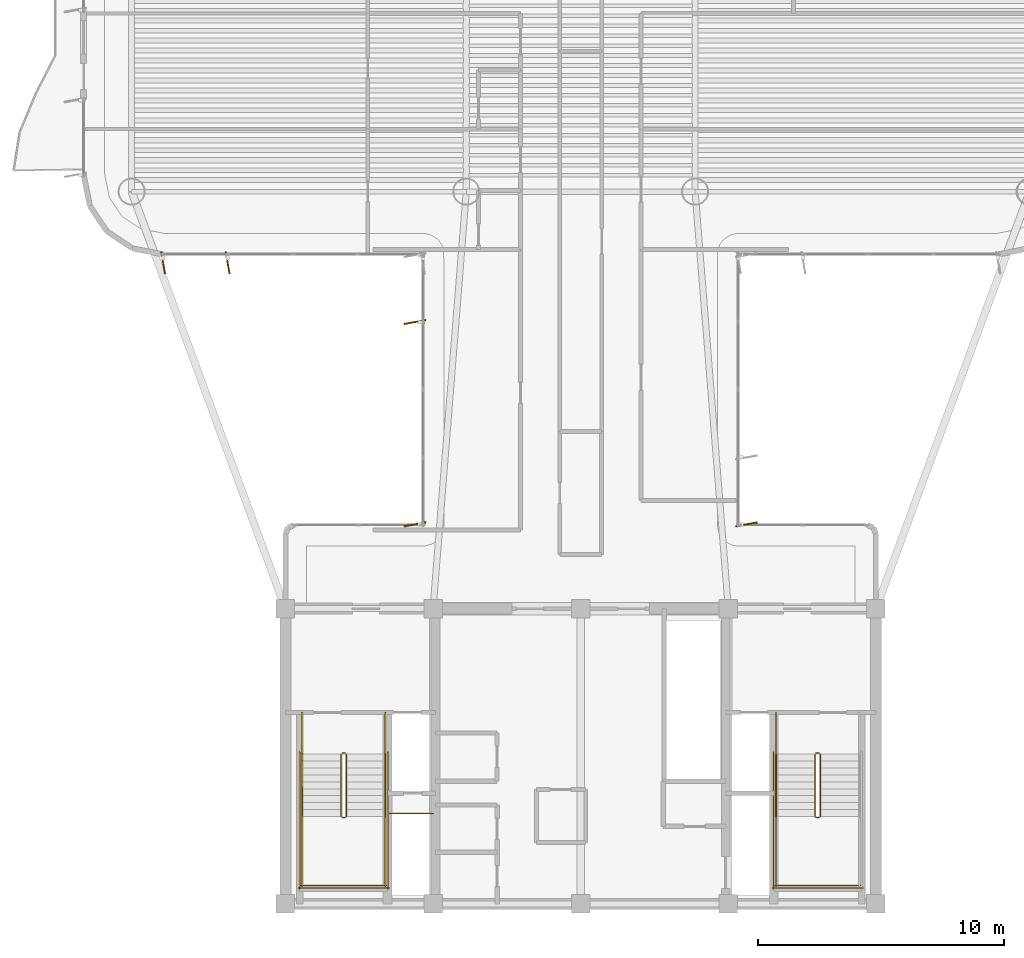
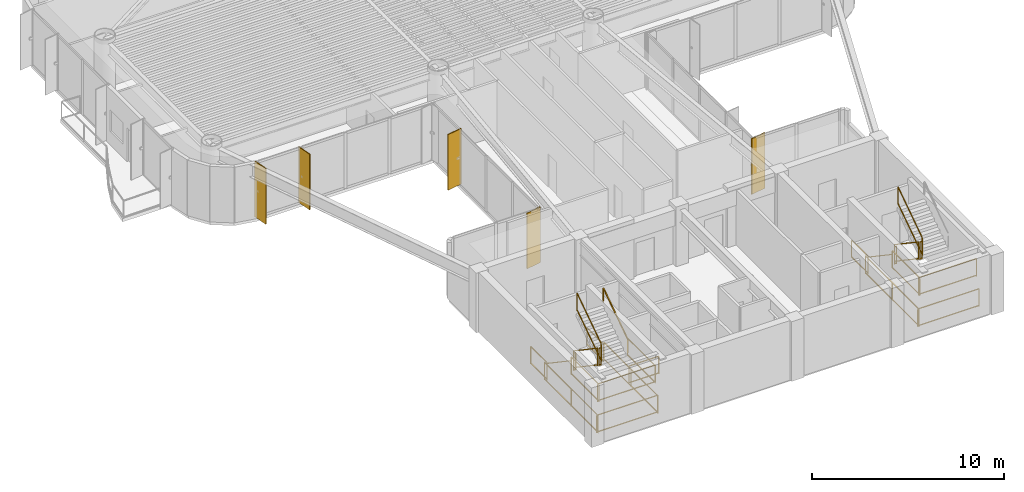
# One storey, part 13 of 14: 25 railings, 5 shading devices.
"""IFC4 building model written with IfcOpenShell, lengths in metres."""

from ifc_helpers import new_model, si_unit, direction, frame, origin, origin_2d, place, context, subcontext, project, spatial, rectangle, extrude, source, transform, mapped, material, layer, layer_set, material_profile, profile_set, type_object, element, save


model = new_model("IFC4")

# Units and contexts
model_context = context("Model", 3, precision=1e-05, world=origin(), true_north=direction((0.0, 1.0)))
body_context = subcontext(model_context, "Body", "Model", "MODEL_VIEW")
ifc_project = project(units=[si_unit("LENGTHUNIT", "METRE"), si_unit("AREAUNIT", "SQUARE_METRE"), si_unit("VOLUMEUNIT", "CUBIC_METRE"), si_unit("PLANEANGLEUNIT", "RADIAN"), si_unit("MASSUNIT", "GRAM", prefix="KILO")], contexts=[model_context])

# Site, building, storey
site_placement = place(None, origin())
site = spatial("IfcSite", under=ifc_project, at=site_placement, CompositionType="ELEMENT")
building_placement = place(site_placement, origin())
building = spatial("IfcBuilding", under=site, at=building_placement, Name="Brelvock Crest Care Tower", CompositionType="ELEMENT")
storey_placement = place(building_placement, frame((0.0, 0.0, 194.219970703125)))
storey = spatial("IfcBuildingStorey", under=building, at=storey_placement, Name="L49", CompositionType="ELEMENT", Elevation=194.219970703125)

# Railings
ifc_material_1 = material(Name="Steel Grade 350", Category="steel")
ifc_layer_1 = layer(ifc_material_1, 0.050048828125, Name="RL-STG1")
ifc_layer_set_1 = layer_set([ifc_layer_1], Name="Steel Grade 350")
railing_type_1 = type_object("IfcRailingType", Name="RL-STG1", PredefinedType="GUARDRAIL", material=ifc_layer_set_1)
railing_1_placement = place(storey_placement, frame((26.260009765625, 12.080078125, 0.18896484375)))
element("IfcRailing", 1, at=railing_1_placement, inside=storey, type_object=railing_type_1, Name="L49 ST-1 stair guard 1", PredefinedType="GUARDRAIL", context=body_context, shape_type="SweptSolid", body=[
    extrude(rectangle(XDim=0.048095703125, YDim=0.048095703125, at=origin_2d()), frame((0.0, -0.001708984375, 1.116943359375), z_axis=(0.0, -0.82882447046, 0.559508710537), x_axis=(1.0, 0.0, 0.0)), (0.0, 0.0, 1.0), 3.036376953125),
    extrude(rectangle(XDim=0.048095703125, YDim=0.048095703125, at=origin_2d()), frame((0.0, -0.001708984375, 0.05615234375), z_axis=(0.0, -0.82882447046, 0.559508710537), x_axis=(1.0, 0.0, 0.0)), (0.0, 0.0, 1.0), 3.036376953125),
    extrude(rectangle(XDim=0.0419921875, YDim=0.0419921875, at=origin_2d()), origin(), (0.0, 0.0, 1.0), 1.08984375),
    extrude(rectangle(XDim=0.0419921875, YDim=0.0419921875, at=origin_2d()), frame((0.0, -2.52001953125, 1.701171875)), (0.0, 0.0, 1.0), 1.08984375),
])
railing_2_placement = place(storey_placement, frame((26.31005859375, 9.510009765625, 1.89013671875)))
element("IfcRailing", 2, at=railing_2_placement, inside=storey, type_object=railing_type_1, Name="L49 ST-1 stair guard 2", PredefinedType="GUARDRAIL", context=body_context, shape_type="SweptSolid", body=[
    extrude(rectangle(XDim=0.048095703125, YDim=0.048095703125, at=origin_2d()), frame((0.001953125, 0.0, 1.11572265625), z_axis=(1.0, 0.0, 0.0), x_axis=(0.0, 1.0, 0.0)), (0.0, 0.0, 1.0), 0.115966796875),
    extrude(rectangle(XDim=0.048095703125, YDim=0.048095703125, at=origin_2d()), frame((0.001953125, 0.0, 0.054931640625), z_axis=(1.0, 0.0, 0.0), x_axis=(0.0, 1.0, 0.0)), (0.0, 0.0, 1.0), 0.115966796875),
    extrude(rectangle(XDim=0.0419921875, YDim=0.0419921875, at=origin_2d()), origin(), (0.0, 0.0, 1.0), 1.08984375),
    extrude(rectangle(XDim=0.0419921875, YDim=0.0419921875, at=origin_2d()), frame((0.119873046875, 0.0, 0.0)), (0.0, 0.0, 1.0), 1.08984375),
])
for number, where, name in (
    (3, (24.679931640625, 9.56005859375, 1.89013671875), "L49 ST-1 stair guard 3"),
    (4, (28.06005859375, 9.56005859375, 1.89013671875), "L49 ST-1 stair guard 4"),
):
    element("IfcRailing", number, at=place(storey_placement, frame(where)), inside=storey, type_object=railing_type_1, Name=name, PredefinedType="GUARDRAIL", context=body_context, shape_type="SweptSolid", body=[
        extrude(rectangle(XDim=0.048095703125, YDim=0.048095703125, at=origin_2d()), frame((0.0, -0.001953125, 1.11572265625), z_axis=(0.0, -1.0, 0.0), x_axis=(1.0, 0.0, 0.0)), (0.0, 0.0, 1.0), 2.856201171875),
        extrude(rectangle(XDim=0.048095703125, YDim=0.048095703125, at=origin_2d()), frame((0.0, -0.001953125, 0.054931640625), z_axis=(0.0, -1.0, 0.0), x_axis=(1.0, 0.0, 0.0)), (0.0, 0.0, 1.0), 2.856201171875),
        extrude(rectangle(XDim=0.0419921875, YDim=0.0419921875, at=origin_2d()), origin(), (0.0, 0.0, 1.0), 1.08984375),
        extrude(rectangle(XDim=0.0419921875, YDim=0.0419921875, at=origin_2d()), frame((0.0, -2.860107421875, 0.0)), (0.0, 0.0, 1.0), 1.08984375),
    ])
railing_3_placement = place(storey_placement, frame((24.6298828125, 6.75, 1.89013671875)))
element("IfcRailing", 5, at=railing_3_placement, inside=storey, type_object=railing_type_1, Name="L49 ST-1 stair guard 5", PredefinedType="GUARDRAIL", context=body_context, shape_type="SweptSolid", body=[
    extrude(rectangle(XDim=0.048095703125, YDim=0.048095703125, at=origin_2d()), frame((0.001953125, 0.0, 1.11572265625), z_axis=(1.0, 0.0, 0.0), x_axis=(0.0, 1.0, 0.0)), (0.0, 0.0, 1.0), 3.476318359375),
    extrude(rectangle(XDim=0.048095703125, YDim=0.048095703125, at=origin_2d()), frame((0.001953125, 0.0, 0.054931640625), z_axis=(1.0, 0.0, 0.0), x_axis=(0.0, 1.0, 0.0)), (0.0, 0.0, 1.0), 3.476318359375),
    extrude(rectangle(XDim=0.0419921875, YDim=0.0419921875, at=origin_2d()), origin(), (0.0, 0.0, 1.0), 1.08984375),
    extrude(rectangle(XDim=0.0419921875, YDim=0.0419921875, at=origin_2d()), frame((3.480224609375, 0.0, 0.0)), (0.0, 0.0, 1.0), 1.08984375),
])
railing_4_placement = place(storey_placement, frame((26.47998046875, 9.56005859375, 2.0791015625)))
element("IfcRailing", 6, at=railing_4_placement, inside=storey, type_object=railing_type_1, Name="L49 ST-1 stair guard 6", PredefinedType="GUARDRAIL", context=body_context, shape_type="SweptSolid", body=[
    extrude(rectangle(XDim=0.048095703125, YDim=0.048095703125, at=origin_2d()), frame((0.0, 0.001708984375, 1.116943359375), z_axis=(0.0, 0.828861706735, 0.559453546873), x_axis=(-1.0, 0.0, 0.0)), (0.0, 0.0, 1.0), 3.036376953125),
    extrude(rectangle(XDim=0.048095703125, YDim=0.048095703125, at=origin_2d()), frame((0.0, 0.001708984375, 0.05615234375), z_axis=(0.0, 0.828861706735, 0.559453546873), x_axis=(-1.0, 0.0, 0.0)), (0.0, 0.0, 1.0), 3.036376953125),
    extrude(rectangle(XDim=0.0419921875, YDim=0.0419921875, at=origin_2d()), origin(), (0.0, 0.0, 1.0), 1.08984375),
    extrude(rectangle(XDim=0.0419921875, YDim=0.0419921875, at=origin_2d()), frame((0.0, 2.52001953125, 1.700927734375)), (0.0, 0.0, 1.0), 1.08984375),
])
railing_5_placement = place(storey_placement, frame((26.31005859375, 12.1298828125, 0.0)))
element("IfcRailing", 7, at=railing_5_placement, inside=storey, type_object=railing_type_1, Name="L49 ST-1 stair guard 7", PredefinedType="GUARDRAIL", context=body_context, shape_type="SweptSolid", body=[
    extrude(rectangle(XDim=0.048095703125, YDim=0.048095703125, at=origin_2d()), frame((0.001953125, 0.0, 1.11572265625), z_axis=(1.0, 0.0, 0.0), x_axis=(0.0, 1.0, 0.0)), (0.0, 0.0, 1.0), 0.115966796875),
    extrude(rectangle(XDim=0.048095703125, YDim=0.048095703125, at=origin_2d()), frame((0.001953125, 0.0, 0.054931640625), z_axis=(1.0, 0.0, 0.0), x_axis=(0.0, 1.0, 0.0)), (0.0, 0.0, 1.0), 0.115966796875),
    extrude(rectangle(XDim=0.0419921875, YDim=0.0419921875, at=origin_2d()), origin(), (0.0, 0.0, 1.0), 1.08984375),
    extrude(rectangle(XDim=0.0419921875, YDim=0.0419921875, at=origin_2d()), frame((0.119873046875, 0.0, 0.0)), (0.0, 0.0, 1.0), 1.08984375),
])
for number, where, name in (
    (8, (24.679931640625, 13.780029296875, 0.0), "L49 ST-1 stair guard 8"),
    (9, (28.06005859375, 13.780029296875, 0.0), "L49 ST-1 stair guard 9"),
):
    element("IfcRailing", number, at=place(storey_placement, frame(where)), inside=storey, type_object=railing_type_1, Name=name, PredefinedType="GUARDRAIL", context=body_context, shape_type="SweptSolid", body=[
        extrude(rectangle(XDim=0.048095703125, YDim=0.048095703125, at=origin_2d()), frame((0.0, -0.001953125, 1.11572265625), z_axis=(0.0, -1.0, 0.0), x_axis=(1.0, 0.0, 0.0)), (0.0, 0.0, 1.0), 1.696044921875),
        extrude(rectangle(XDim=0.048095703125, YDim=0.048095703125, at=origin_2d()), frame((0.0, -0.001953125, 0.054931640625), z_axis=(0.0, -1.0, 0.0), x_axis=(1.0, 0.0, 0.0)), (0.0, 0.0, 1.0), 1.696044921875),
        extrude(rectangle(XDim=0.0419921875, YDim=0.0419921875, at=origin_2d()), origin(), (0.0, 0.0, 1.0), 1.08984375),
        extrude(rectangle(XDim=0.0419921875, YDim=0.0419921875, at=origin_2d()), frame((0.0, -1.699951171875, 0.0)), (0.0, 0.0, 1.0), 1.08984375),
    ])
for number, where, name in (
    (10, (24.580078125, 12.179931640625, 0.0), "L49 ST-1 stair guard 10"),
    (11, (28.159912109375, 12.179931640625, 0.0), "L49 ST-1 stair guard 11"),
):
    element("IfcRailing", number, at=place(storey_placement, frame(where)), inside=storey, type_object=railing_type_1, Name=name, PredefinedType="GUARDRAIL", context=body_context, shape_type="SweptSolid", body=[
        extrude(rectangle(XDim=0.048095703125, YDim=0.048095703125, at=origin_2d()), frame((0.0, -0.001953125, 1.11572265625), z_axis=(0.0, -1.0, 0.0), x_axis=(1.0, 0.0, 0.0)), (0.0, 0.0, 1.0), 5.575927734375),
        extrude(rectangle(XDim=0.048095703125, YDim=0.048095703125, at=origin_2d()), frame((0.0, -0.001953125, 0.054931640625), z_axis=(0.0, -1.0, 0.0), x_axis=(1.0, 0.0, 0.0)), (0.0, 0.0, 1.0), 5.575927734375),
        extrude(rectangle(XDim=0.0419921875, YDim=0.0419921875, at=origin_2d()), origin(), (0.0, 0.0, 1.0), 1.08984375),
        extrude(rectangle(XDim=0.0419921875, YDim=0.0419921875, at=origin_2d()), frame((0.0, -2.7900390625, 0.0)), (0.0, 0.0, 1.0), 1.08984375),
        extrude(rectangle(XDim=0.0419921875, YDim=0.0419921875, at=origin_2d()), frame((0.0, -5.579833984375, 0.0)), (0.0, 0.0, 1.0), 1.08984375),
    ])
railing_6_placement = place(storey_placement, frame((24.530029296875, 6.64990234375, 0.0)))
element("IfcRailing", 12, at=railing_6_placement, inside=storey, type_object=railing_type_1, Name="L49 ST-1 stair guard 12", PredefinedType="GUARDRAIL", context=body_context, shape_type="SweptSolid", body=[
    extrude(rectangle(XDim=0.048095703125, YDim=0.048095703125, at=origin_2d()), frame((0.001953125, 0.0, 1.11572265625), z_axis=(1.0, 0.0, 0.0), x_axis=(0.0, 1.0, 0.0)), (0.0, 0.0, 1.0), 3.676025390625),
    extrude(rectangle(XDim=0.048095703125, YDim=0.048095703125, at=origin_2d()), frame((0.001953125, 0.0, 0.054931640625), z_axis=(1.0, 0.0, 0.0), x_axis=(0.0, 1.0, 0.0)), (0.0, 0.0, 1.0), 3.676025390625),
    extrude(rectangle(XDim=0.0419921875, YDim=0.0419921875, at=origin_2d()), origin(), (0.0, 0.0, 1.0), 1.08984375),
    extrude(rectangle(XDim=0.0419921875, YDim=0.0419921875, at=origin_2d()), frame((3.679931640625, 0.0, 0.0)), (0.0, 0.0, 1.0), 1.08984375),
])
railing_7_placement = place(storey_placement, frame((45.52001953125, 12.080078125, 0.18896484375)))
element("IfcRailing", 13, at=railing_7_placement, inside=storey, type_object=railing_type_1, Name="L49 ST-2 stair guard 1", PredefinedType="GUARDRAIL", context=body_context, shape_type="SweptSolid", body=[
    extrude(rectangle(XDim=0.048095703125, YDim=0.048095703125, at=origin_2d()), frame((0.0, -0.001708984375, 1.116943359375), z_axis=(0.0, -0.82882447046, 0.559508710537), x_axis=(1.0, 0.0, 0.0)), (0.0, 0.0, 1.0), 3.036376953125),
    extrude(rectangle(XDim=0.048095703125, YDim=0.048095703125, at=origin_2d()), frame((0.0, -0.001708984375, 0.05615234375), z_axis=(0.0, -0.82882447046, 0.559508710537), x_axis=(1.0, 0.0, 0.0)), (0.0, 0.0, 1.0), 3.036376953125),
    extrude(rectangle(XDim=0.0419921875, YDim=0.0419921875, at=origin_2d()), origin(), (0.0, 0.0, 1.0), 1.08984375),
    extrude(rectangle(XDim=0.0419921875, YDim=0.0419921875, at=origin_2d()), frame((0.0, -2.52001953125, 1.701171875)), (0.0, 0.0, 1.0), 1.08984375),
])
railing_8_placement = place(storey_placement, frame((45.570068359375, 9.510009765625, 1.89013671875)))
element("IfcRailing", 14, at=railing_8_placement, inside=storey, type_object=railing_type_1, Name="L49 ST-2 stair guard 2", PredefinedType="GUARDRAIL", context=body_context, shape_type="SweptSolid", body=[
    extrude(rectangle(XDim=0.048095703125, YDim=0.048095703125, at=origin_2d()), frame((0.001953125, 0.0, 1.11572265625), z_axis=(1.0, 0.0, 0.0), x_axis=(0.0, 1.0, 0.0)), (0.0, 0.0, 1.0), 0.115966796875),
    extrude(rectangle(XDim=0.048095703125, YDim=0.048095703125, at=origin_2d()), frame((0.001953125, 0.0, 0.054931640625), z_axis=(1.0, 0.0, 0.0), x_axis=(0.0, 1.0, 0.0)), (0.0, 0.0, 1.0), 0.115966796875),
    extrude(rectangle(XDim=0.0419921875, YDim=0.0419921875, at=origin_2d()), origin(), (0.0, 0.0, 1.0), 1.08984375),
    extrude(rectangle(XDim=0.0419921875, YDim=0.0419921875, at=origin_2d()), frame((0.119873046875, 0.0, 0.0)), (0.0, 0.0, 1.0), 1.08984375),
])
railing_9_placement = place(storey_placement, frame((43.93994140625, 9.56005859375, 1.89013671875)))
element("IfcRailing", 15, at=railing_9_placement, inside=storey, type_object=railing_type_1, Name="L49 ST-2 stair guard 3", PredefinedType="GUARDRAIL", context=body_context, shape_type="SweptSolid", body=[
    extrude(rectangle(XDim=0.048095703125, YDim=0.048095703125, at=origin_2d()), frame((0.0, -0.001953125, 1.11572265625), z_axis=(0.0, -1.0, 0.0), x_axis=(1.0, 0.0, 0.0)), (0.0, 0.0, 1.0), 2.856201171875),
    extrude(rectangle(XDim=0.048095703125, YDim=0.048095703125, at=origin_2d()), frame((0.0, -0.001953125, 0.054931640625), z_axis=(0.0, -1.0, 0.0), x_axis=(1.0, 0.0, 0.0)), (0.0, 0.0, 1.0), 2.856201171875),
    extrude(rectangle(XDim=0.0419921875, YDim=0.0419921875, at=origin_2d()), origin(), (0.0, 0.0, 1.0), 1.08984375),
    extrude(rectangle(XDim=0.0419921875, YDim=0.0419921875, at=origin_2d()), frame((0.0, -2.860107421875, 0.0)), (0.0, 0.0, 1.0), 1.08984375),
])
railing_10_placement = place(storey_placement, frame((43.889892578125, 6.75, 1.89013671875)))
element("IfcRailing", 16, at=railing_10_placement, inside=storey, type_object=railing_type_1, Name="L49 ST-2 stair guard 5", PredefinedType="GUARDRAIL", context=body_context, shape_type="SweptSolid", body=[
    extrude(rectangle(XDim=0.048095703125, YDim=0.048095703125, at=origin_2d()), frame((0.001953125, 0.0, 1.11572265625), z_axis=(1.0, 0.0, 0.0), x_axis=(0.0, 1.0, 0.0)), (0.0, 0.0, 1.0), 3.476318359375),
    extrude(rectangle(XDim=0.048095703125, YDim=0.048095703125, at=origin_2d()), frame((0.001953125, 0.0, 0.054931640625), z_axis=(1.0, 0.0, 0.0), x_axis=(0.0, 1.0, 0.0)), (0.0, 0.0, 1.0), 3.476318359375),
    extrude(rectangle(XDim=0.0419921875, YDim=0.0419921875, at=origin_2d()), origin(), (0.0, 0.0, 1.0), 1.08984375),
    extrude(rectangle(XDim=0.0419921875, YDim=0.0419921875, at=origin_2d()), frame((3.480224609375, 0.0, 0.0)), (0.0, 0.0, 1.0), 1.08984375),
])
railing_11_placement = place(storey_placement, frame((45.739990234375, 9.56005859375, 2.0791015625)))
element("IfcRailing", 17, at=railing_11_placement, inside=storey, type_object=railing_type_1, Name="L49 ST-2 stair guard 6", PredefinedType="GUARDRAIL", context=body_context, shape_type="SweptSolid", body=[
    extrude(rectangle(XDim=0.048095703125, YDim=0.048095703125, at=origin_2d()), frame((0.0, 0.001708984375, 1.116943359375), z_axis=(0.0, 0.828861706735, 0.559453546873), x_axis=(-1.0, 0.0, 0.0)), (0.0, 0.0, 1.0), 3.036376953125),
    extrude(rectangle(XDim=0.048095703125, YDim=0.048095703125, at=origin_2d()), frame((0.0, 0.001708984375, 0.05615234375), z_axis=(0.0, 0.828861706735, 0.559453546873), x_axis=(-1.0, 0.0, 0.0)), (0.0, 0.0, 1.0), 3.036376953125),
    extrude(rectangle(XDim=0.0419921875, YDim=0.0419921875, at=origin_2d()), origin(), (0.0, 0.0, 1.0), 1.08984375),
    extrude(rectangle(XDim=0.0419921875, YDim=0.0419921875, at=origin_2d()), frame((0.0, 2.52001953125, 1.700927734375)), (0.0, 0.0, 1.0), 1.08984375),
])
railing_12_placement = place(storey_placement, frame((45.570068359375, 12.1298828125, 0.0)))
element("IfcRailing", 18, at=railing_12_placement, inside=storey, type_object=railing_type_1, Name="L49 ST-2 stair guard 7", PredefinedType="GUARDRAIL", context=body_context, shape_type="SweptSolid", body=[
    extrude(rectangle(XDim=0.048095703125, YDim=0.048095703125, at=origin_2d()), frame((0.001953125, 0.0, 1.11572265625), z_axis=(1.0, 0.0, 0.0), x_axis=(0.0, 1.0, 0.0)), (0.0, 0.0, 1.0), 0.115966796875),
    extrude(rectangle(XDim=0.048095703125, YDim=0.048095703125, at=origin_2d()), frame((0.001953125, 0.0, 0.054931640625), z_axis=(1.0, 0.0, 0.0), x_axis=(0.0, 1.0, 0.0)), (0.0, 0.0, 1.0), 0.115966796875),
    extrude(rectangle(XDim=0.0419921875, YDim=0.0419921875, at=origin_2d()), origin(), (0.0, 0.0, 1.0), 1.08984375),
    extrude(rectangle(XDim=0.0419921875, YDim=0.0419921875, at=origin_2d()), frame((0.119873046875, 0.0, 0.0)), (0.0, 0.0, 1.0), 1.08984375),
])
railing_13_placement = place(storey_placement, frame((43.93994140625, 13.780029296875, 0.0)))
element("IfcRailing", 19, at=railing_13_placement, inside=storey, type_object=railing_type_1, Name="L49 ST-2 stair guard 8", PredefinedType="GUARDRAIL", context=body_context, shape_type="SweptSolid", body=[
    extrude(rectangle(XDim=0.048095703125, YDim=0.048095703125, at=origin_2d()), frame((0.0, -0.001953125, 1.11572265625), z_axis=(0.0, -1.0, 0.0), x_axis=(1.0, 0.0, 0.0)), (0.0, 0.0, 1.0), 1.696044921875),
    extrude(rectangle(XDim=0.048095703125, YDim=0.048095703125, at=origin_2d()), frame((0.0, -0.001953125, 0.054931640625), z_axis=(0.0, -1.0, 0.0), x_axis=(1.0, 0.0, 0.0)), (0.0, 0.0, 1.0), 1.696044921875),
    extrude(rectangle(XDim=0.0419921875, YDim=0.0419921875, at=origin_2d()), origin(), (0.0, 0.0, 1.0), 1.08984375),
    extrude(rectangle(XDim=0.0419921875, YDim=0.0419921875, at=origin_2d()), frame((0.0, -1.699951171875, 0.0)), (0.0, 0.0, 1.0), 1.08984375),
])
railing_14_placement = place(storey_placement, frame((43.840087890625, 12.179931640625, 0.0)))
element("IfcRailing", 20, at=railing_14_placement, inside=storey, type_object=railing_type_1, Name="L49 ST-2 stair guard 10", PredefinedType="GUARDRAIL", context=body_context, shape_type="SweptSolid", body=[
    extrude(rectangle(XDim=0.048095703125, YDim=0.048095703125, at=origin_2d()), frame((0.0, -0.001953125, 1.11572265625), z_axis=(0.0, -1.0, 0.0), x_axis=(1.0, 0.0, 0.0)), (0.0, 0.0, 1.0), 5.575927734375),
    extrude(rectangle(XDim=0.048095703125, YDim=0.048095703125, at=origin_2d()), frame((0.0, -0.001953125, 0.054931640625), z_axis=(0.0, -1.0, 0.0), x_axis=(1.0, 0.0, 0.0)), (0.0, 0.0, 1.0), 5.575927734375),
    extrude(rectangle(XDim=0.0419921875, YDim=0.0419921875, at=origin_2d()), origin(), (0.0, 0.0, 1.0), 1.08984375),
    extrude(rectangle(XDim=0.0419921875, YDim=0.0419921875, at=origin_2d()), frame((0.0, -2.7900390625, 0.0)), (0.0, 0.0, 1.0), 1.08984375),
    extrude(rectangle(XDim=0.0419921875, YDim=0.0419921875, at=origin_2d()), frame((0.0, -5.579833984375, 0.0)), (0.0, 0.0, 1.0), 1.08984375),
])
railing_15_placement = place(storey_placement, frame((43.7900390625, 6.64990234375, 0.0)))
element("IfcRailing", 21, at=railing_15_placement, inside=storey, type_object=railing_type_1, Name="L49 ST-2 stair guard 12", PredefinedType="GUARDRAIL", context=body_context, shape_type="SweptSolid", body=[
    extrude(rectangle(XDim=0.048095703125, YDim=0.048095703125, at=origin_2d()), frame((0.001953125, 0.0, 1.11572265625), z_axis=(1.0, 0.0, 0.0), x_axis=(0.0, 1.0, 0.0)), (0.0, 0.0, 1.0), 3.676025390625),
    extrude(rectangle(XDim=0.048095703125, YDim=0.048095703125, at=origin_2d()), frame((0.001953125, 0.0, 0.054931640625), z_axis=(1.0, 0.0, 0.0), x_axis=(0.0, 1.0, 0.0)), (0.0, 0.0, 1.0), 3.676025390625),
    extrude(rectangle(XDim=0.0419921875, YDim=0.0419921875, at=origin_2d()), origin(), (0.0, 0.0, 1.0), 1.08984375),
    extrude(rectangle(XDim=0.0419921875, YDim=0.0419921875, at=origin_2d()), frame((3.679931640625, 0.0, 0.0)), (0.0, 0.0, 1.0), 1.08984375),
])
railing_16_placement = place(storey_placement, frame((28.219970703125, 9.679931640625, 0.0)))
element("IfcRailing", 22, at=railing_16_placement, inside=storey, type_object=railing_type_1, Name="L49 Fire Riser Threshold Guard", PredefinedType="GUARDRAIL", context=body_context, shape_type="SweptSolid", body=[
    extrude(rectangle(XDim=0.048095703125, YDim=0.048095703125, at=origin_2d()), frame((0.001953125, 0.0, 1.11572265625), z_axis=(1.0, 0.0, 0.0), x_axis=(0.0, 1.0, 0.0)), (0.0, 0.0, 1.0), 1.776123046875),
    extrude(rectangle(XDim=0.048095703125, YDim=0.048095703125, at=origin_2d()), frame((0.001953125, 0.0, 0.054931640625), z_axis=(1.0, 0.0, 0.0), x_axis=(0.0, 1.0, 0.0)), (0.0, 0.0, 1.0), 1.776123046875),
    extrude(rectangle(XDim=0.0419921875, YDim=0.0419921875, at=origin_2d()), origin(), (0.0, 0.0, 1.0), 1.08984375),
    extrude(rectangle(XDim=0.0419921875, YDim=0.0419921875, at=origin_2d()), frame((1.780029296875, 0.0, 0.0)), (0.0, 0.0, 1.0), 1.08984375),
])
ifc_layer_2 = layer(ifc_material_1, 0.048095703125, Name="RL-STH1")
ifc_layer_set_2 = layer_set([ifc_layer_2], Name="Steel Grade 350")
railing_type_2 = type_object("IfcRailingType", Name="RL-STH1", PredefinedType="HANDRAIL", material=ifc_layer_set_2)
railing_17_placement = place(storey_placement, frame((24.679931640625, 12.080078125, 0.18896484375)))
element("IfcRailing", 23, at=railing_17_placement, inside=storey, type_object=railing_type_2, Name="L49 ST-1 stair handrail 1", PredefinedType="HANDRAIL", context=body_context, shape_type="SweptSolid", body=[
    extrude(rectangle(XDim=0.048095703125, YDim=0.048095703125, at=origin_2d()), frame((0.0, -0.001708984375, 0.876953125), z_axis=(0.0, -0.82882447046, 0.559508710537), x_axis=(1.0, 0.0, 0.0)), (0.0, 0.0, 1.0), 3.036376953125),
    extrude(rectangle(XDim=0.0419921875, YDim=0.0419921875, at=origin_2d()), origin(), (0.0, 0.0, 1.0), 0.849853515625),
    extrude(rectangle(XDim=0.0419921875, YDim=0.0419921875, at=origin_2d()), frame((0.0, -2.52001953125, 1.701171875)), (0.0, 0.0, 1.0), 0.849853515625),
])
railing_18_placement = place(storey_placement, frame((28.06005859375, 9.56005859375, 2.0791015625)))
element("IfcRailing", 24, at=railing_18_placement, inside=storey, type_object=railing_type_2, Name="L49 ST-1 stair handrail 2", PredefinedType="HANDRAIL", context=body_context, shape_type="SweptSolid", body=[
    extrude(rectangle(XDim=0.048095703125, YDim=0.048095703125, at=origin_2d()), frame((0.0, 0.001708984375, 0.876953125), z_axis=(0.0, 0.828861706735, 0.559453546873), x_axis=(-1.0, 0.0, 0.0)), (0.0, 0.0, 1.0), 3.036376953125),
    extrude(rectangle(XDim=0.0419921875, YDim=0.0419921875, at=origin_2d()), origin(), (0.0, 0.0, 1.0), 0.849853515625),
    extrude(rectangle(XDim=0.0419921875, YDim=0.0419921875, at=origin_2d()), frame((0.0, 2.52001953125, 1.700927734375)), (0.0, 0.0, 1.0), 0.849853515625),
])
railing_19_placement = place(storey_placement, frame((43.93994140625, 12.080078125, 0.18896484375)))
element("IfcRailing", 25, at=railing_19_placement, inside=storey, type_object=railing_type_2, Name="L49 ST-2 stair handrail 1", PredefinedType="HANDRAIL", context=body_context, shape_type="SweptSolid", body=[
    extrude(rectangle(XDim=0.048095703125, YDim=0.048095703125, at=origin_2d()), frame((0.0, -0.001708984375, 0.876953125), z_axis=(0.0, -0.82882447046, 0.559508710537), x_axis=(1.0, 0.0, 0.0)), (0.0, 0.0, 1.0), 3.036376953125),
    extrude(rectangle(XDim=0.0419921875, YDim=0.0419921875, at=origin_2d()), origin(), (0.0, 0.0, 1.0), 0.849853515625),
    extrude(rectangle(XDim=0.0419921875, YDim=0.0419921875, at=origin_2d()), frame((0.0, -2.52001953125, 1.701171875)), (0.0, 0.0, 1.0), 0.849853515625),
])

# Shading devices
ifc_material_2 = material(Name="Aluminium 6063-T6", Category="aluminium")
ifc_material_profile = material_profile(ifc_material_2, rectangle(XDim=0.054931640625, YDim=0.89990234375, at=origin_2d()), Name="FIN55x900")
ifc_profile_set = profile_set([ifc_material_profile], Name="Aluminium 6063-T6")
shading_device_type = type_object("IfcShadingDeviceType", Name="SHD-FIN1", PredefinedType="USERDEFINED", material=ifc_profile_set)
shared_shape = source(origin(), body_context, "Body", "SweptSolid", [
    extrude(rectangle(XDim=0.054931640625, YDim=0.89990234375, at=origin_2d()), origin(), (0.0, 0.0, 1.0), 3.530029296875),
])
for number, where, z_axis, x_axis, name in (
    (26, (29.260009765625, 21.429931640625, 0.0), (0.0, 0.0, 1.0), (-0.173648177667, 0.984807753012, 0.0), "L49 Vertical Sunshade Fin E11-01"),
    (27, (29.260009765625, 29.64990234375, 0.0), (0.0, 0.0, 1.0), (-0.173648177667, 0.984807753012, 0.0), "L49 Vertical Sunshade Fin E11-04"),
    (28, (21.64990234375, 32.06005859375, 0.0), (0.0, 0.0, 1.0), (-0.984807753012, -0.173648177667, 0.0), "L49 Vertical Sunshade Fin E12-04"),
    (29, (19.030029296875, 32.06005859375, 0.0), (0.0, 0.0, 1.0), (-0.984807753012, -0.173648177667, 0.0), "L49 Vertical Sunshade Fin E12-05"),
    (30, (42.739990234375, 21.429931640625, 0.0), (0.0, 0.0, 1.0), (0.173648177667, -0.984807753012, 0.0), "L49 Vertical Sunshade Fin E45-05"),
):
    element("IfcShadingDevice", number, at=place(storey_placement, frame(where, z_axis=z_axis, x_axis=x_axis)), inside=storey, type_object=shading_device_type, Name=name, ObjectType="FIN", PredefinedType="USERDEFINED", context=body_context, shape_type="MappedRepresentation", body=[
        mapped(shared_shape, transform((0.0, 0.0, 0.0), x_axis=(1.0, 0.0, 0.0), y_axis=(0.0, 1.0, 0.0), z_axis=(0.0, 0.0, 1.0), scale=1.0)),
    ])

save(model, "model.ifc")
